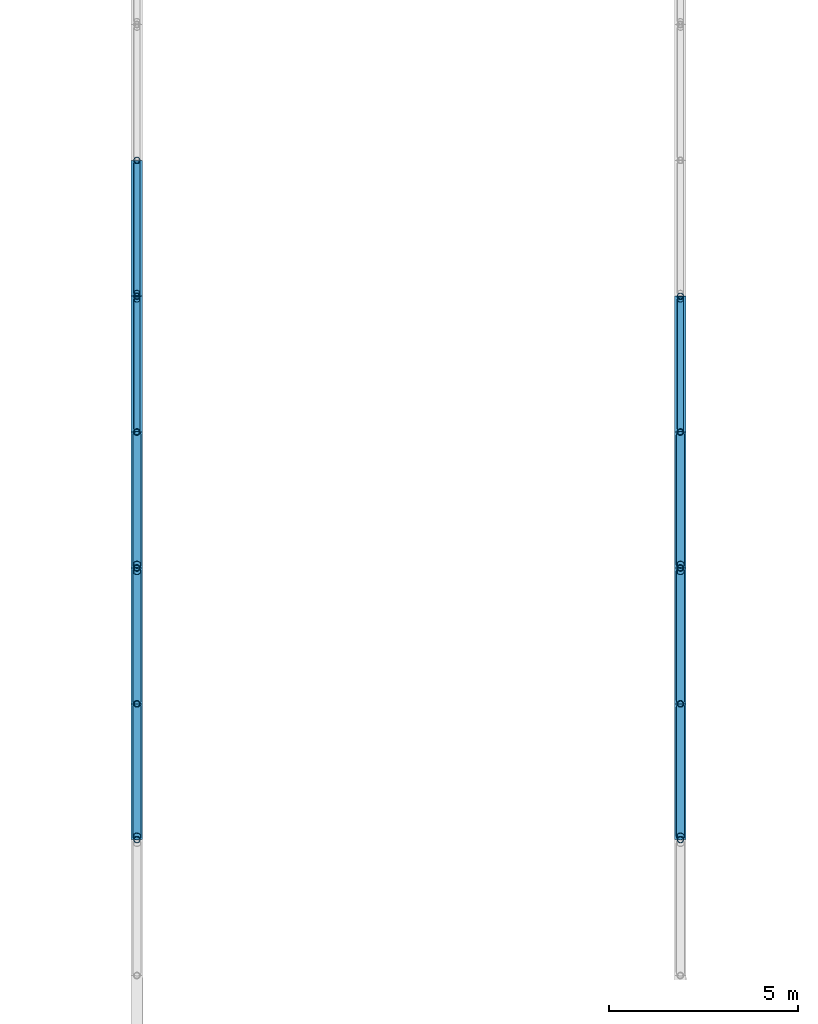
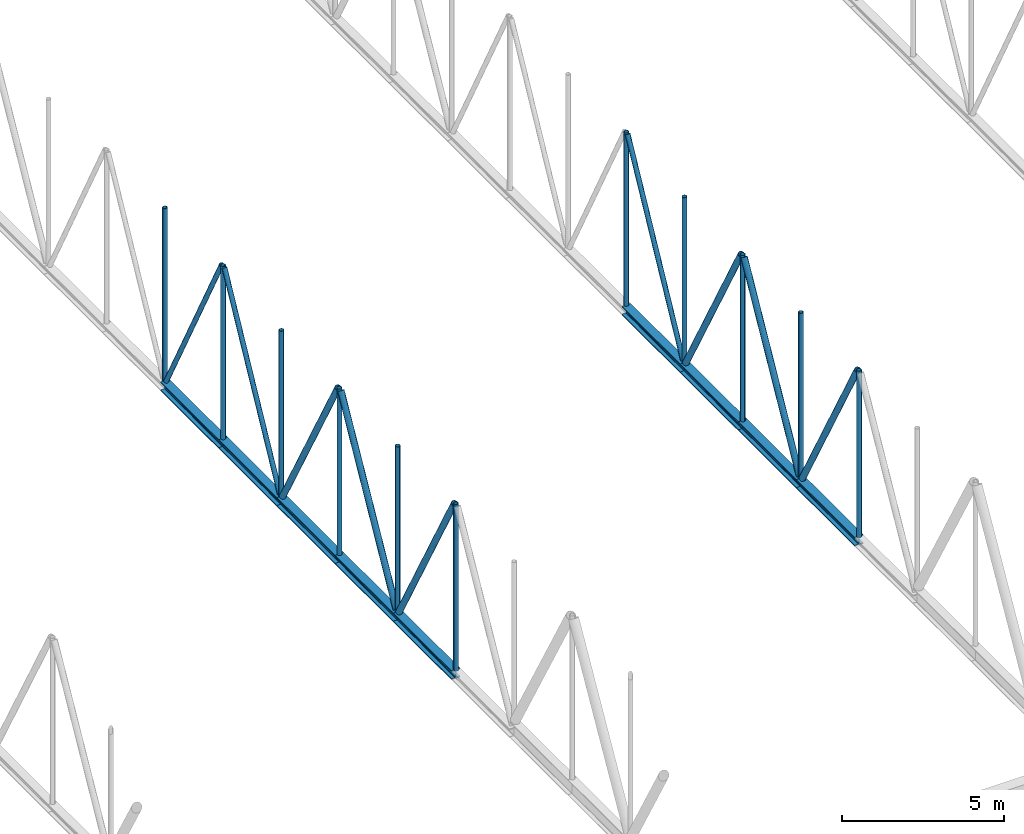
# One storey, part 40 of 142: 29 members.
"""IFC4 building model written with IfcOpenShell, lengths in metres."""

from ifc_helpers import new_model, si_unit, direction, frame, origin, origin_2d, place, context, subcontext, project, spatial, hollow_circle, i_section, extrude, material, material_profile, profile_set, type_object, element, save


model = new_model("IFC4")

# Units and contexts
model_context = context("Model", 3, precision=1e-05, world=origin(), true_north=direction((0.0, 1.0)))
body_context = subcontext(model_context, "Body", "Model", "MODEL_VIEW")
ifc_project = project(units=[si_unit("LENGTHUNIT", "METRE"), si_unit("AREAUNIT", "SQUARE_METRE"), si_unit("VOLUMEUNIT", "CUBIC_METRE"), si_unit("PLANEANGLEUNIT", "RADIAN"), si_unit("MASSUNIT", "GRAM", prefix="KILO")], contexts=[model_context])

# Site, building, storey
site_placement = place(None, origin())
site = spatial("IfcSite", under=ifc_project, at=site_placement, CompositionType="ELEMENT")
building_placement = place(site_placement, origin())
building = spatial("IfcBuilding", under=site, at=building_placement, Name="Kupolbacken Congress Centre", CompositionType="ELEMENT")
storey_placement = place(building_placement, frame((0.0, 0.0, 14.39990234375)))
storey = spatial("IfcBuildingStorey", under=building, at=storey_placement, Name="L04", CompositionType="ELEMENT", Elevation=14.39990234375)

# Members
ifc_material_1 = material(Name="Steel S355", Category="steel")
ifc_material_profile_1 = material_profile(ifc_material_1, i_section(OverallWidth=0.31005859375, OverallDepth=0.340087890625, WebThickness=0.02099609375, FlangeThickness=0.0390625, FilletRadius=0.027099609375, at=origin_2d()), Name="HEM 300")
ifc_profile_set_1 = profile_set([ifc_material_profile_1], Name="Steel S355")
member_type_1 = type_object("IfcMemberType", Name="M01 transfer truss chord HEM 300", PredefinedType="CHORD", material=ifc_profile_set_1)
member_1_placement = place(storey_placement, frame((108.0, 61.199951171875, 0.16015625), z_axis=(0.0, 1.0, 0.0), x_axis=(-1.0, 0.0, 0.0)))
element("IfcMember", 1, at=member_1_placement, inside=storey, type_object=member_type_1, Name="HT/T2/BC06", PredefinedType="CHORD", context=body_context, shape_type="SweptSolid", body=[
    extrude(i_section(OverallWidth=0.31005859375, OverallDepth=0.340087890625, WebThickness=0.02099609375, FlangeThickness=0.0390625, FilletRadius=0.027099609375, at=origin_2d()), origin(), (0.0, 0.0, 1.0), 3.60009765625),
])
member_2_placement = place(storey_placement, frame((108.0, 64.800048828125, 0.16015625), z_axis=(0.0, 1.0, 0.0), x_axis=(-1.0, 0.0, 0.0)))
element("IfcMember", 2, at=member_2_placement, inside=storey, type_object=member_type_1, Name="HT/T2/BC07", PredefinedType="CHORD", context=body_context, shape_type="SweptSolid", body=[
    extrude(i_section(OverallWidth=0.31005859375, OverallDepth=0.340087890625, WebThickness=0.02099609375, FlangeThickness=0.0390625, FilletRadius=0.027099609375, at=origin_2d()), origin(), (0.0, 0.0, 1.0), 3.599853515625),
])
for number, where, z_axis, x_axis, name in (
    (3, (108.0, 68.39990234375, 0.16015625), (0.0, 1.0, 0.0), (-1.0, 0.0, 0.0), "HT/T2/BC08"),
    (4, (108.0, 72.0, 0.16015625), (0.0, 1.0, 0.0), (-1.0, 0.0, 0.0), "HT/T2/BC09"),
):
    element("IfcMember", number, at=place(storey_placement, frame(where, z_axis=z_axis, x_axis=x_axis)), inside=storey, type_object=member_type_1, Name=name, PredefinedType="CHORD", context=body_context, shape_type="SweptSolid", body=[
        extrude(i_section(OverallWidth=0.31005859375, OverallDepth=0.340087890625, WebThickness=0.02099609375, FlangeThickness=0.0390625, FilletRadius=0.027099609375, at=origin_2d()), origin(), (0.0, 0.0, 1.0), 3.60009765625),
    ])
member_3_placement = place(storey_placement, frame((108.0, 75.60009765625, 0.16015625), z_axis=(0.0, 1.0, 0.0), x_axis=(-1.0, 0.0, 0.0)))
element("IfcMember", 5, at=member_3_placement, inside=storey, type_object=member_type_1, Name="HT/T2/BC10", PredefinedType="CHORD", context=body_context, shape_type="SweptSolid", body=[
    extrude(i_section(OverallWidth=0.31005859375, OverallDepth=0.340087890625, WebThickness=0.02099609375, FlangeThickness=0.0390625, FilletRadius=0.027099609375, at=origin_2d()), origin(), (0.0, 0.0, 1.0), 3.599853515625),
])
member_4_placement = place(storey_placement, frame((122.39990234375, 61.199951171875, 0.16015625), z_axis=(0.0, 1.0, 0.0), x_axis=(-1.0, 0.0, 0.0)))
element("IfcMember", 6, at=member_4_placement, inside=storey, type_object=member_type_1, Name="HT/T3/BC06", PredefinedType="CHORD", context=body_context, shape_type="SweptSolid", body=[
    extrude(i_section(OverallWidth=0.31005859375, OverallDepth=0.340087890625, WebThickness=0.02099609375, FlangeThickness=0.0390625, FilletRadius=0.027099609375, at=origin_2d()), origin(), (0.0, 0.0, 1.0), 3.60009765625),
])
member_5_placement = place(storey_placement, frame((122.39990234375, 64.800048828125, 0.16015625), z_axis=(0.0, 1.0, 0.0), x_axis=(-1.0, 0.0, 0.0)))
element("IfcMember", 7, at=member_5_placement, inside=storey, type_object=member_type_1, Name="HT/T3/BC07", PredefinedType="CHORD", context=body_context, shape_type="SweptSolid", body=[
    extrude(i_section(OverallWidth=0.31005859375, OverallDepth=0.340087890625, WebThickness=0.02099609375, FlangeThickness=0.0390625, FilletRadius=0.027099609375, at=origin_2d()), origin(), (0.0, 0.0, 1.0), 3.599853515625),
])
for number, where, z_axis, x_axis, name in (
    (8, (122.39990234375, 68.39990234375, 0.16015625), (0.0, 1.0, 0.0), (-1.0, 0.0, 0.0), "HT/T3/BC08"),
    (9, (122.39990234375, 72.0, 0.16015625), (0.0, 1.0, 0.0), (-1.0, 0.0, 0.0), "HT/T3/BC09"),
):
    element("IfcMember", number, at=place(storey_placement, frame(where, z_axis=z_axis, x_axis=x_axis)), inside=storey, type_object=member_type_1, Name=name, PredefinedType="CHORD", context=body_context, shape_type="SweptSolid", body=[
        extrude(i_section(OverallWidth=0.31005859375, OverallDepth=0.340087890625, WebThickness=0.02099609375, FlangeThickness=0.0390625, FilletRadius=0.027099609375, at=origin_2d()), origin(), (0.0, 0.0, 1.0), 3.60009765625),
    ])
ifc_material_2 = material(Name="Steel S355", Category="steel")
ifc_material_profile_2 = material_profile(ifc_material_2, hollow_circle(Radius=0.109619140625, WallThickness=0.010009765625, at=origin_2d()), Name="CHS 219.1 x 10")
ifc_profile_set_2 = profile_set([ifc_material_profile_2], Name="Steel S355")
member_type_2 = type_object("IfcMemberType", Name="M05 transfer truss web CHS 219.1 x 10", PredefinedType="BRACE", material=ifc_profile_set_2)
member_6_placement = place(storey_placement, frame((108.0, 61.2841796875, 6.5576171875), z_axis=(0.0, 0.48517101949, -0.874419282637), x_axis=(-1.0, 0.0, 0.0)))
element("IfcMember", 10, at=member_6_placement, inside=storey, type_object=member_type_2, Name="HT/T2/D06", PredefinedType="BRACE", context=body_context, shape_type="SweptSolid", body=[
    extrude(hollow_circle(Radius=0.109619140625, WallThickness=0.010009765625, at=origin_2d()), origin(), (0.0, 0.0, 1.0), 7.072998046875),
])
member_7_placement = place(storey_placement, frame((108.0, 64.884033203125, 0.372802734375), z_axis=(0.0, 0.485197410842, 0.87440463889), x_axis=(-1.0, 0.0, 0.0)))
element("IfcMember", 11, at=member_7_placement, inside=storey, type_object=member_type_2, Name="HT/T2/D07", PredefinedType="BRACE", context=body_context, shape_type="SweptSolid", body=[
    extrude(hollow_circle(Radius=0.109619140625, WallThickness=0.010009765625, at=origin_2d()), origin(), (0.0, 0.0, 1.0), 7.0732421875),
])
for number, where, z_axis, x_axis, name in (
    (12, (108.0, 68.484130859375, 6.5576171875), (0.0, 0.48517101949, -0.874419282637), (-1.0, 0.0, 0.0), "HT/T2/D08"),
    (13, (122.39990234375, 61.2841796875, 6.5576171875), (0.0, 0.48517101949, -0.874419282637), (-1.0, 0.0, 0.0), "HT/T3/D06"),
):
    element("IfcMember", number, at=place(storey_placement, frame(where, z_axis=z_axis, x_axis=x_axis)), inside=storey, type_object=member_type_2, Name=name, PredefinedType="BRACE", context=body_context, shape_type="SweptSolid", body=[
        extrude(hollow_circle(Radius=0.109619140625, WallThickness=0.010009765625, at=origin_2d()), origin(), (0.0, 0.0, 1.0), 7.072998046875),
    ])
member_8_placement = place(storey_placement, frame((122.39990234375, 64.884033203125, 0.372802734375), z_axis=(0.0, 0.485197410842, 0.87440463889), x_axis=(-1.0, 0.0, 0.0)))
element("IfcMember", 14, at=member_8_placement, inside=storey, type_object=member_type_2, Name="HT/T3/D07", PredefinedType="BRACE", context=body_context, shape_type="SweptSolid", body=[
    extrude(hollow_circle(Radius=0.109619140625, WallThickness=0.010009765625, at=origin_2d()), origin(), (0.0, 0.0, 1.0), 7.0732421875),
])
member_9_placement = place(storey_placement, frame((122.39990234375, 68.484130859375, 6.5576171875), z_axis=(0.0, 0.48517101949, -0.874419282637), x_axis=(-1.0, 0.0, 0.0)))
element("IfcMember", 15, at=member_9_placement, inside=storey, type_object=member_type_2, Name="HT/T3/D08", PredefinedType="BRACE", context=body_context, shape_type="SweptSolid", body=[
    extrude(hollow_circle(Radius=0.109619140625, WallThickness=0.010009765625, at=origin_2d()), origin(), (0.0, 0.0, 1.0), 7.072998046875),
])
ifc_material_3 = material(Name="Steel S355", Category="steel")
ifc_material_profile_3 = material_profile(ifc_material_3, hollow_circle(Radius=0.084228515625, WallThickness=0.008056640625, at=origin_2d()), Name="CHS 168.3 x 8")
ifc_profile_set_3 = profile_set([ifc_material_profile_3], Name="Steel S355")
member_type_3 = type_object("IfcMemberType", Name="M06 transfer truss web CHS 168.3 x 8", PredefinedType="BRACE", material=ifc_profile_set_3)
for number, where, z_axis, x_axis, name in (
    (16, (108.0, 72.084228515625, 0.359130859375), (0.0, 0.468455727838, 0.883486972771), (-1.0, 0.0, 0.0), "HT/T2/D09"),
    (17, (108.0, 75.68408203125, 6.8310546875), (0.0, 0.468481741227, -0.88347317907), (-1.0, 0.0, 0.0), "HT/T2/D10"),
    (18, (122.39990234375, 72.084228515625, 0.359130859375), (0.0, 0.468455727838, 0.883486972771), (-1.0, 0.0, 0.0), "HT/T3/D09"),
):
    element("IfcMember", number, at=place(storey_placement, frame(where, z_axis=z_axis, x_axis=x_axis)), inside=storey, type_object=member_type_3, Name=name, PredefinedType="BRACE", context=body_context, shape_type="SweptSolid", body=[
        extrude(hollow_circle(Radius=0.084228515625, WallThickness=0.008056640625, at=origin_2d()), origin(), (0.0, 0.0, 1.0), 7.325439453125),
    ])
ifc_material_4 = material(Name="Steel S355", Category="steel")
ifc_material_profile_4 = material_profile(ifc_material_4, hollow_circle(Radius=0.084228515625, WallThickness=0.008056640625, at=origin_2d()), Name="CHS 168.3 x 8")
ifc_profile_set_4 = profile_set([ifc_material_profile_4], Name="Steel S355")
member_type_4 = type_object("IfcMemberType", Name="M20 transfer truss post CHS 168.3 x 8", PredefinedType="STRUT", material=ifc_profile_set_4)
for number, where, z_axis, x_axis, name in (
    (19, (108.0, 61.199951171875, 0.320068359375), (0.0, 0.0, 1.0), (0.0, 1.0, 0.0), "HT/T2/P05"),
    (20, (108.0, 64.800048828125, 0.320068359375), (0.0, 0.0, 1.0), (0.0, 1.0, 0.0), "HT/T2/P06"),
    (21, (108.0, 68.39990234375, 0.320068359375), (0.0, 0.0, 1.0), (0.0, 1.0, 0.0), "HT/T2/P07"),
    (22, (108.0, 72.0, 0.320068359375), (0.0, 0.0, 1.0), (0.0, 1.0, 0.0), "HT/T2/P08"),
):
    element("IfcMember", number, at=place(storey_placement, frame(where, z_axis=z_axis, x_axis=x_axis)), inside=storey, type_object=member_type_4, Name=name, PredefinedType="STRUT", context=body_context, shape_type="SweptSolid", body=[
        extrude(hollow_circle(Radius=0.084228515625, WallThickness=0.008056640625, at=origin_2d()), origin(), (0.0, 0.0, 1.0), 6.2900390625),
    ])
for number, where, z_axis, x_axis, name in (
    (23, (108.0, 75.60009765625, 0.320068359375), (0.0, 0.0, 1.0), (0.0, 1.0, 0.0), "HT/T2/P09"),
    (24, (108.0, 79.199951171875, 0.320068359375), (0.0, 0.0, 1.0), (0.0, 1.0, 0.0), "HT/T2/P10"),
):
    element("IfcMember", number, at=place(storey_placement, frame(where, z_axis=z_axis, x_axis=x_axis)), inside=storey, type_object=member_type_4, Name=name, PredefinedType="STRUT", context=body_context, shape_type="SweptSolid", body=[
        extrude(hollow_circle(Radius=0.084228515625, WallThickness=0.008056640625, at=origin_2d()), origin(), (0.0, 0.0, 1.0), 6.550048828125),
    ])
for number, where, z_axis, x_axis, name in (
    (25, (122.39990234375, 61.199951171875, 0.320068359375), (0.0, 0.0, 1.0), (0.0, 1.0, 0.0), "HT/T3/P05"),
    (26, (122.39990234375, 64.800048828125, 0.320068359375), (0.0, 0.0, 1.0), (0.0, 1.0, 0.0), "HT/T3/P06"),
    (27, (122.39990234375, 68.39990234375, 0.320068359375), (0.0, 0.0, 1.0), (0.0, 1.0, 0.0), "HT/T3/P07"),
    (28, (122.39990234375, 72.0, 0.320068359375), (0.0, 0.0, 1.0), (0.0, 1.0, 0.0), "HT/T3/P08"),
):
    element("IfcMember", number, at=place(storey_placement, frame(where, z_axis=z_axis, x_axis=x_axis)), inside=storey, type_object=member_type_4, Name=name, PredefinedType="STRUT", context=body_context, shape_type="SweptSolid", body=[
        extrude(hollow_circle(Radius=0.084228515625, WallThickness=0.008056640625, at=origin_2d()), origin(), (0.0, 0.0, 1.0), 6.2900390625),
    ])
member_10_placement = place(storey_placement, frame((122.39990234375, 75.60009765625, 0.320068359375), z_axis=(0.0, 0.0, 1.0), x_axis=(0.0, 1.0, 0.0)))
element("IfcMember", 29, at=member_10_placement, inside=storey, type_object=member_type_4, Name="HT/T3/P09", PredefinedType="STRUT", context=body_context, shape_type="SweptSolid", body=[
    extrude(hollow_circle(Radius=0.084228515625, WallThickness=0.008056640625, at=origin_2d()), origin(), (0.0, 0.0, 1.0), 6.550048828125),
])

save(model, "model.ifc")
